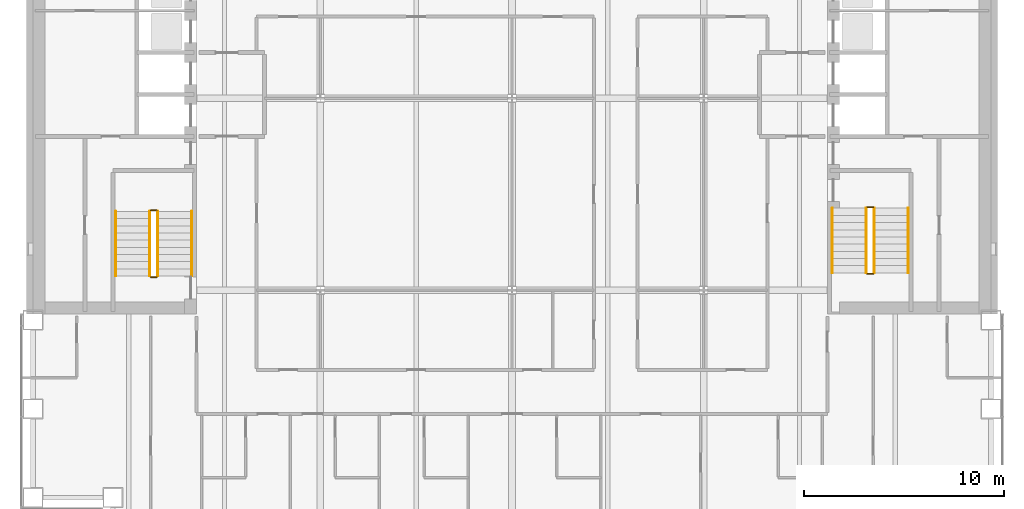
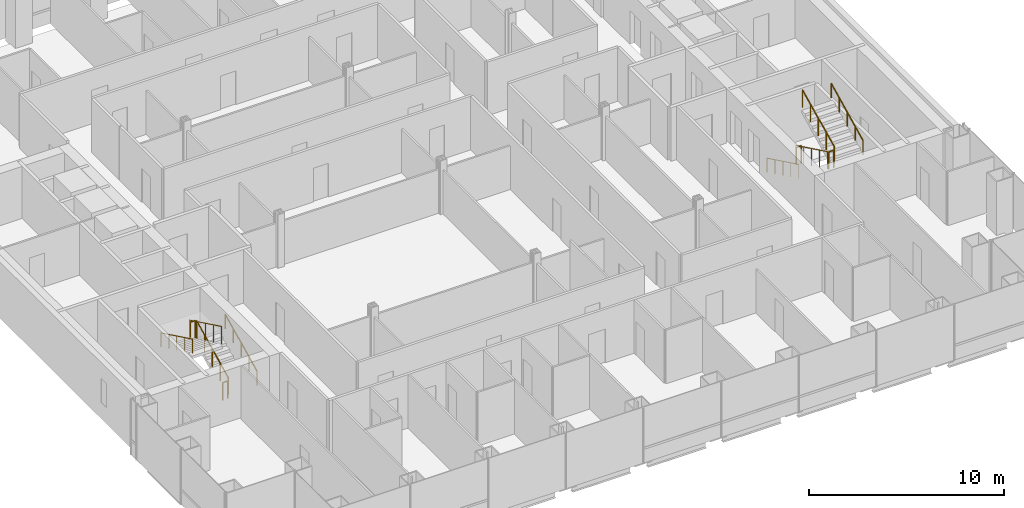
# One storey, part 22 of 23: 12 railings.
"""IFC4 building model written with IfcOpenShell, lengths in metres."""

from ifc_helpers import new_model, si_unit, direction, frame, origin, origin_2d, place, context, subcontext, project, spatial, circle, extrude, material, type_object, element, save


model = new_model("IFC4")

# Units and contexts
model_context = context("Model", 3, precision=1e-05, world=origin(), true_north=direction((0.0, 1.0)))
body_context = subcontext(model_context, "Body", "Model", "MODEL_VIEW")
ifc_project = project(units=[si_unit("LENGTHUNIT", "METRE"), si_unit("AREAUNIT", "SQUARE_METRE"), si_unit("VOLUMEUNIT", "CUBIC_METRE"), si_unit("PLANEANGLEUNIT", "RADIAN"), si_unit("MASSUNIT", "GRAM", prefix="KILO")], contexts=[model_context])

# Site, building, storey
site_placement = place(None, origin())
site = spatial("IfcSite", under=ifc_project, at=site_placement, CompositionType="ELEMENT")
building_placement = place(site_placement, origin())
building = spatial("IfcBuilding", under=site, at=building_placement, Name="Cobrizo Arcos Hotel Tower", CompositionType="ELEMENT")
storey_placement = place(building_placement, frame((0.0, 0.0, 49.5)))
storey = spatial("IfcBuildingStorey", under=building, at=storey_placement, Name="L10", CompositionType="ELEMENT", Elevation=49.5)

# Railings
ifc_material = material(Name="Stainless steel railing", Category="steel")
railing_type_1 = type_object("IfcRailingType", Name="Stair guard 1100", PredefinedType="GUARDRAIL", material=ifc_material)
railing_1_placement = place(storey_placement, frame((-17.75, -8.89990234375, 0.175048828125)))
element("IfcRailing", 1, at=railing_1_placement, inside=storey, type_object=railing_type_1, Name="L10 ST-W stair guard 1", PredefinedType="GUARDRAIL", context=body_context, shape_type="SweptSolid", body=[
    extrude(circle(Radius=0.02392578125, at=origin_2d()), frame((0.0, 0.0, 1.076171875), z_axis=(0.0, 0.899372665325, 0.437182809435), x_axis=(-1.0, 0.0, 0.0)), (0.0, 0.0, 1.0), 3.6025390625),
    extrude(circle(Radius=0.02099609375, at=origin_2d()), origin(), (0.0, 0.0, 1.0), 1.052001953125),
    extrude(circle(Radius=0.02099609375, at=origin_2d()), frame((0.0, 0.81005859375, 0.393798828125)), (0.0, 0.0, 1.0), 1.052001953125),
    extrude(circle(Radius=0.02099609375, at=origin_2d()), frame((0.0, 1.6201171875, 0.78759765625)), (0.0, 0.0, 1.0), 1.052001953125),
    extrude(circle(Radius=0.02099609375, at=origin_2d()), frame((0.0, 2.429931640625, 1.18115234375)), (0.0, 0.0, 1.0), 1.052001953125),
    extrude(circle(Radius=0.02099609375, at=origin_2d()), frame((0.0, 3.239990234375, 1.574951171875)), (0.0, 0.0, 1.0), 1.052001953125),
])
railing_2_placement = place(storey_placement, frame((-17.800048828125, -5.610107421875, 1.75)))
element("IfcRailing", 2, at=railing_2_placement, inside=storey, type_object=railing_type_1, Name="L10 ST-W stair guard 2", PredefinedType="GUARDRAIL", context=body_context, shape_type="SweptSolid", body=[
    extrude(circle(Radius=0.02392578125, at=origin_2d()), frame((0.0, 0.0, 1.076171875), z_axis=(-1.0, 0.0, 0.0), x_axis=(0.0, -1.0, 0.0)), (0.0, 0.0, 1.0), 0.300048828125),
    extrude(circle(Radius=0.02099609375, at=origin_2d()), origin(), (0.0, 0.0, 1.0), 1.052001953125),
    extrude(circle(Radius=0.02099609375, at=origin_2d()), frame((-0.300048828125, 0.0, 0.0)), (0.0, 0.0, 1.0), 1.052001953125),
])
railing_3_placement = place(storey_placement, frame((-18.14990234375, -5.659912109375, 1.925048828125)))
element("IfcRailing", 3, at=railing_3_placement, inside=storey, type_object=railing_type_1, Name="L10 ST-W stair guard 3", PredefinedType="GUARDRAIL", context=body_context, shape_type="SweptSolid", body=[
    extrude(circle(Radius=0.02392578125, at=origin_2d()), frame((0.0, 0.0, 1.076171875), z_axis=(0.0, -0.899372665325, 0.437182809435), x_axis=(1.0, 0.0, 0.0)), (0.0, 0.0, 1.0), 3.6025390625),
    extrude(circle(Radius=0.02099609375, at=origin_2d()), origin(), (0.0, 0.0, 1.0), 1.052001953125),
    extrude(circle(Radius=0.02099609375, at=origin_2d()), frame((0.0, -0.81005859375, 0.393798828125)), (0.0, 0.0, 1.0), 1.052001953125),
    extrude(circle(Radius=0.02099609375, at=origin_2d()), frame((0.0, -1.6201171875, 0.78759765625)), (0.0, 0.0, 1.0), 1.052001953125),
    extrude(circle(Radius=0.02099609375, at=origin_2d()), frame((0.0, -2.429931640625, 1.18115234375)), (0.0, 0.0, 1.0), 1.052001953125),
    extrude(circle(Radius=0.02099609375, at=origin_2d()), frame((0.0, -3.239990234375, 1.574951171875)), (0.0, 0.0, 1.0), 1.052001953125),
])
railing_4_placement = place(storey_placement, frame((-17.800048828125, -8.949951171875, 0.0)))
element("IfcRailing", 4, at=railing_4_placement, inside=storey, type_object=railing_type_1, Name="L10 ST-W stair guard 4", PredefinedType="GUARDRAIL", context=body_context, shape_type="SweptSolid", body=[
    extrude(circle(Radius=0.02392578125, at=origin_2d()), frame((0.0, 0.0, 1.076171875), z_axis=(-1.0, 0.0, 0.0), x_axis=(0.0, -1.0, 0.0)), (0.0, 0.0, 1.0), 0.300048828125),
    extrude(circle(Radius=0.02099609375, at=origin_2d()), origin(), (0.0, 0.0, 1.0), 1.052001953125),
    extrude(circle(Radius=0.02099609375, at=origin_2d()), frame((-0.300048828125, 0.0, 0.0)), (0.0, 0.0, 1.0), 1.052001953125),
])
railing_5_placement = place(storey_placement, frame((17.75, -5.5, 0.175048828125)))
element("IfcRailing", 5, at=railing_5_placement, inside=storey, type_object=railing_type_1, Name="L10 ST-E stair guard 1", PredefinedType="GUARDRAIL", context=body_context, shape_type="SweptSolid", body=[
    extrude(circle(Radius=0.02392578125, at=origin_2d()), frame((0.0, 0.0, 1.076171875), z_axis=(0.0, -0.899372665325, 0.437182809435), x_axis=(1.0, 0.0, 0.0)), (0.0, 0.0, 1.0), 3.6025390625),
    extrude(circle(Radius=0.02099609375, at=origin_2d()), origin(), (0.0, 0.0, 1.0), 1.052001953125),
    extrude(circle(Radius=0.02099609375, at=origin_2d()), frame((0.0, -0.81005859375, 0.393798828125)), (0.0, 0.0, 1.0), 1.052001953125),
    extrude(circle(Radius=0.02099609375, at=origin_2d()), frame((0.0, -1.6201171875, 0.78759765625)), (0.0, 0.0, 1.0), 1.052001953125),
    extrude(circle(Radius=0.02099609375, at=origin_2d()), frame((0.0, -2.429931640625, 1.18115234375)), (0.0, 0.0, 1.0), 1.052001953125),
    extrude(circle(Radius=0.02099609375, at=origin_2d()), frame((0.0, -3.239990234375, 1.574951171875)), (0.0, 0.0, 1.0), 1.052001953125),
])
railing_6_placement = place(storey_placement, frame((17.800048828125, -8.7900390625, 1.75)))
element("IfcRailing", 6, at=railing_6_placement, inside=storey, type_object=railing_type_1, Name="L10 ST-E stair guard 2", PredefinedType="GUARDRAIL", context=body_context, shape_type="SweptSolid", body=[
    extrude(circle(Radius=0.02392578125, at=origin_2d()), frame((0.0, 0.0, 1.076171875), z_axis=(1.0, 0.0, 0.0), x_axis=(0.0, 1.0, 0.0)), (0.0, 0.0, 1.0), 0.300048828125),
    extrude(circle(Radius=0.02099609375, at=origin_2d()), origin(), (0.0, 0.0, 1.0), 1.052001953125),
    extrude(circle(Radius=0.02099609375, at=origin_2d()), frame((0.300048828125, 0.0, 0.0)), (0.0, 0.0, 1.0), 1.052001953125),
])
railing_7_placement = place(storey_placement, frame((18.14990234375, -8.739990234375, 1.925048828125)))
element("IfcRailing", 7, at=railing_7_placement, inside=storey, type_object=railing_type_1, Name="L10 ST-E stair guard 3", PredefinedType="GUARDRAIL", context=body_context, shape_type="SweptSolid", body=[
    extrude(circle(Radius=0.02392578125, at=origin_2d()), frame((0.0, 0.0, 1.076171875), z_axis=(0.0, 0.899372665325, 0.437182809435), x_axis=(-1.0, 0.0, 0.0)), (0.0, 0.0, 1.0), 3.6025390625),
    extrude(circle(Radius=0.02099609375, at=origin_2d()), origin(), (0.0, 0.0, 1.0), 1.052001953125),
    extrude(circle(Radius=0.02099609375, at=origin_2d()), frame((0.0, 0.81005859375, 0.393798828125)), (0.0, 0.0, 1.0), 1.052001953125),
    extrude(circle(Radius=0.02099609375, at=origin_2d()), frame((0.0, 1.6201171875, 0.78759765625)), (0.0, 0.0, 1.0), 1.052001953125),
    extrude(circle(Radius=0.02099609375, at=origin_2d()), frame((0.0, 2.429931640625, 1.18115234375)), (0.0, 0.0, 1.0), 1.052001953125),
    extrude(circle(Radius=0.02099609375, at=origin_2d()), frame((0.0, 3.239990234375, 1.574951171875)), (0.0, 0.0, 1.0), 1.052001953125),
])
railing_8_placement = place(storey_placement, frame((17.800048828125, -5.449951171875, 0.0)))
element("IfcRailing", 8, at=railing_8_placement, inside=storey, type_object=railing_type_1, Name="L10 ST-E stair guard 4", PredefinedType="GUARDRAIL", context=body_context, shape_type="SweptSolid", body=[
    extrude(circle(Radius=0.02392578125, at=origin_2d()), frame((0.0, 0.0, 1.076171875), z_axis=(1.0, 0.0, 0.0), x_axis=(0.0, 1.0, 0.0)), (0.0, 0.0, 1.0), 0.300048828125),
    extrude(circle(Radius=0.02099609375, at=origin_2d()), origin(), (0.0, 0.0, 1.0), 1.052001953125),
    extrude(circle(Radius=0.02099609375, at=origin_2d()), frame((0.300048828125, 0.0, 0.0)), (0.0, 0.0, 1.0), 1.052001953125),
])
railing_type_2 = type_object("IfcRailingType", Name="Stair handrail", PredefinedType="HANDRAIL", material=ifc_material)
railing_9_placement = place(storey_placement, frame((-16.050048828125, -8.89990234375, 0.175048828125)))
element("IfcRailing", 9, at=railing_9_placement, inside=storey, type_object=railing_type_2, Name="L10 ST-W stair handrail 1", PredefinedType="HANDRAIL", context=body_context, shape_type="SweptSolid", body=[
    extrude(circle(Radius=0.02392578125, at=origin_2d()), frame((0.0, 0.0, 0.8759765625), z_axis=(0.0, 0.899372665325, 0.437182809435), x_axis=(-1.0, 0.0, 0.0)), (0.0, 0.0, 1.0), 3.6025390625),
    extrude(circle(Radius=0.02099609375, at=origin_2d()), origin(), (0.0, 0.0, 1.0), 0.851806640625),
    extrude(circle(Radius=0.02099609375, at=origin_2d()), frame((0.0, 0.81005859375, 0.393798828125)), (0.0, 0.0, 1.0), 0.851806640625),
    extrude(circle(Radius=0.02099609375, at=origin_2d()), frame((0.0, 1.6201171875, 0.78759765625)), (0.0, 0.0, 1.0), 0.851806640625),
    extrude(circle(Radius=0.02099609375, at=origin_2d()), frame((0.0, 2.429931640625, 1.18115234375)), (0.0, 0.0, 1.0), 0.851806640625),
    extrude(circle(Radius=0.02099609375, at=origin_2d()), frame((0.0, 3.239990234375, 1.574951171875)), (0.0, 0.0, 1.0), 0.851806640625),
])
for number, where, name in (
    (10, (-19.85009765625, -5.659912109375, 1.925048828125), "L10 ST-W stair handrail 2"),
    (11, (16.050048828125, -5.5, 0.175048828125), "L10 ST-E stair handrail 1"),
):
    element("IfcRailing", number, at=place(storey_placement, frame(where)), inside=storey, type_object=railing_type_2, Name=name, PredefinedType="HANDRAIL", context=body_context, shape_type="SweptSolid", body=[
        extrude(circle(Radius=0.02392578125, at=origin_2d()), frame((0.0, 0.0, 0.8759765625), z_axis=(0.0, -0.899372665325, 0.437182809435), x_axis=(1.0, 0.0, 0.0)), (0.0, 0.0, 1.0), 3.6025390625),
        extrude(circle(Radius=0.02099609375, at=origin_2d()), origin(), (0.0, 0.0, 1.0), 0.851806640625),
        extrude(circle(Radius=0.02099609375, at=origin_2d()), frame((0.0, -0.81005859375, 0.393798828125)), (0.0, 0.0, 1.0), 0.851806640625),
        extrude(circle(Radius=0.02099609375, at=origin_2d()), frame((0.0, -1.6201171875, 0.78759765625)), (0.0, 0.0, 1.0), 0.851806640625),
        extrude(circle(Radius=0.02099609375, at=origin_2d()), frame((0.0, -2.429931640625, 1.18115234375)), (0.0, 0.0, 1.0), 0.851806640625),
        extrude(circle(Radius=0.02099609375, at=origin_2d()), frame((0.0, -3.239990234375, 1.574951171875)), (0.0, 0.0, 1.0), 0.851806640625),
    ])
railing_10_placement = place(storey_placement, frame((19.85009765625, -8.739990234375, 1.925048828125)))
element("IfcRailing", 12, at=railing_10_placement, inside=storey, type_object=railing_type_2, Name="L10 ST-E stair handrail 2", PredefinedType="HANDRAIL", context=body_context, shape_type="SweptSolid", body=[
    extrude(circle(Radius=0.02392578125, at=origin_2d()), frame((0.0, 0.0, 0.8759765625), z_axis=(0.0, 0.899372665325, 0.437182809435), x_axis=(-1.0, 0.0, 0.0)), (0.0, 0.0, 1.0), 3.6025390625),
    extrude(circle(Radius=0.02099609375, at=origin_2d()), origin(), (0.0, 0.0, 1.0), 0.851806640625),
    extrude(circle(Radius=0.02099609375, at=origin_2d()), frame((0.0, 0.81005859375, 0.393798828125)), (0.0, 0.0, 1.0), 0.851806640625),
    extrude(circle(Radius=0.02099609375, at=origin_2d()), frame((0.0, 1.6201171875, 0.78759765625)), (0.0, 0.0, 1.0), 0.851806640625),
    extrude(circle(Radius=0.02099609375, at=origin_2d()), frame((0.0, 2.429931640625, 1.18115234375)), (0.0, 0.0, 1.0), 0.851806640625),
    extrude(circle(Radius=0.02099609375, at=origin_2d()), frame((0.0, 3.239990234375, 1.574951171875)), (0.0, 0.0, 1.0), 0.851806640625),
])

save(model, "model.ifc")
